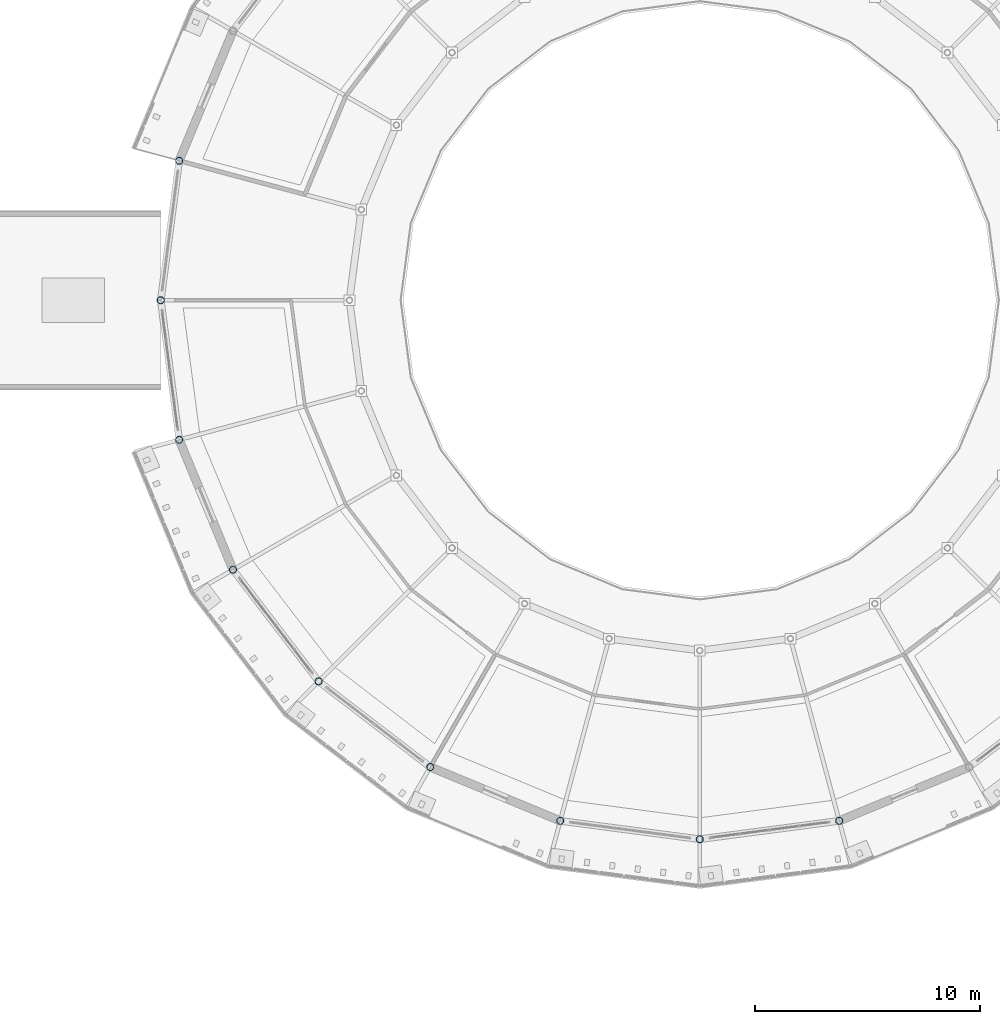
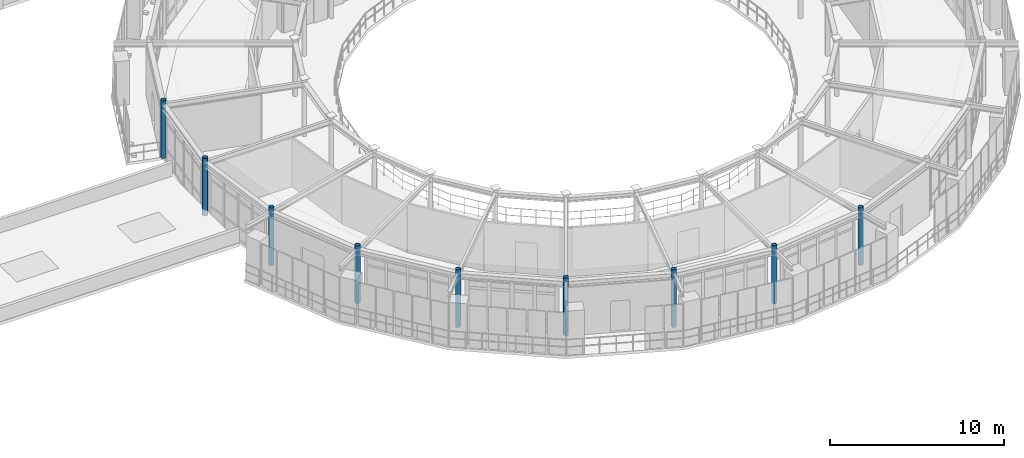
# One storey, part 4 of 70: 9 columns.
"""IFC4 building model written with IfcOpenShell, lengths in metres."""

from ifc_helpers import new_model, si_unit, derived_unit, direction, frame, origin, origin_2d, place, context, subcontext, project, spatial, hollow_circle, extrude, material, material_profile, profile_set, type_object, element, save


model = new_model("IFC4")

# Units and contexts
model_context = context("Model", 3, precision=1e-05, world=origin(), true_north=direction((0.0, 1.0)))
body_context = subcontext(model_context, "Body", "Model", "MODEL_VIEW")
ifc_project = project(units=[si_unit("LENGTHUNIT", "METRE"), si_unit("AREAUNIT", "SQUARE_METRE"), si_unit("VOLUMEUNIT", "CUBIC_METRE"), si_unit("PLANEANGLEUNIT", "RADIAN"), si_unit("MASSUNIT", "GRAM", prefix="KILO"), derived_unit("THERMALTRANSMITTANCEUNIT", [(si_unit("POWERUNIT", "WATT"), 1), (si_unit("AREAUNIT", "SQUARE_METRE"), -1), (si_unit("THERMODYNAMICTEMPERATUREUNIT", "KELVIN"), -1)])], contexts=[model_context])

# Site, building, storey
site_placement = place(None, origin())
site = spatial("IfcSite", under=ifc_project, at=site_placement, CompositionType="ELEMENT")
building_placement = place(site_placement, origin())
building = spatial("IfcBuilding", under=site, at=building_placement, Name="Yasenodar Specialist Clinic", CompositionType="ELEMENT")
storey_placement = place(building_placement, frame((0.0, 0.0, 13.199951171875)))
storey = spatial("IfcBuildingStorey", under=building, at=storey_placement, Name="L03", CompositionType="ELEMENT", Elevation=13.199951171875)

# Columns
ifc_material = material(Name="Steel S355", Category="steel")
ifc_material_profile = material_profile(ifc_material, hollow_circle(Radius=0.161865234375, WallThickness=0.01611328125, at=origin_2d()), Name="CHS 323.9x16")
ifc_profile_set = profile_set([ifc_material_profile], Name="Steel S355")
column_type = type_object("IfcColumnType", Name="COL-ST-CHS324", PredefinedType="COLUMN", material=ifc_profile_set)
for number, where, z_axis, x_axis, name in (
    (1, (57.81787109375, 65.01171875, 0.0), (0.0, 0.0, 1.0), (1.0, 0.0, 0.0), "L03 Drum V1 Outer Column 12"),
    (2, (57.0, 58.800048828125, 0.0), (0.0, 0.0, 1.0), (1.0, 0.0, 0.0), "L03 Drum V1 Outer Column 13"),
    (3, (57.81787109375, 52.58837890625, 0.0), (0.0, 0.0, 1.0), (1.0, 0.0, 0.0), "L03 Drum V1 Outer Column 14"),
    (4, (60.21533203125, 46.800048828125, 0.0), (0.0, 0.0, 1.0), (1.0, 0.0, 0.0), "L03 Drum V1 Outer Column 15"),
    (5, (64.029296875, 41.829345703125, 0.0), (0.0, 0.0, 1.0), (1.0, 0.0, 0.0), "L03 Drum V1 Outer Column 16"),
    (6, (69.0, 38.015380859375, 0.0), (0.0, 0.0, 1.0), (1.0, 0.0, 0.0), "L03 Drum V1 Outer Column 17"),
    (7, (74.788330078125, 35.617919921875, 0.0), (0.0, 0.0, 1.0), (1.0, 0.0, 0.0), "L03 Drum V1 Outer Column 18"),
    (8, (81.0, 34.800048828125, 0.0), (0.0, 0.0, 1.0), (1.0, 0.0, 0.0), "L03 Drum V1 Outer Column 19"),
    (9, (87.211669921875, 35.617919921875, 0.0), (0.0, 0.0, 1.0), (1.0, 0.0, 0.0), "L03 Drum V1 Outer Column 20"),
):
    element("IfcColumn", number, at=place(storey_placement, frame(where, z_axis=z_axis, x_axis=x_axis)), inside=storey, type_object=column_type, Name=name, PredefinedType="COLUMN", context=body_context, shape_type="SweptSolid", body=[
        extrude(hollow_circle(Radius=0.161865234375, WallThickness=0.01611328125, at=origin_2d()), origin(), (0.0, 0.0, 1.0), 4.050048828125),
    ])

save(model, "model.ifc")
